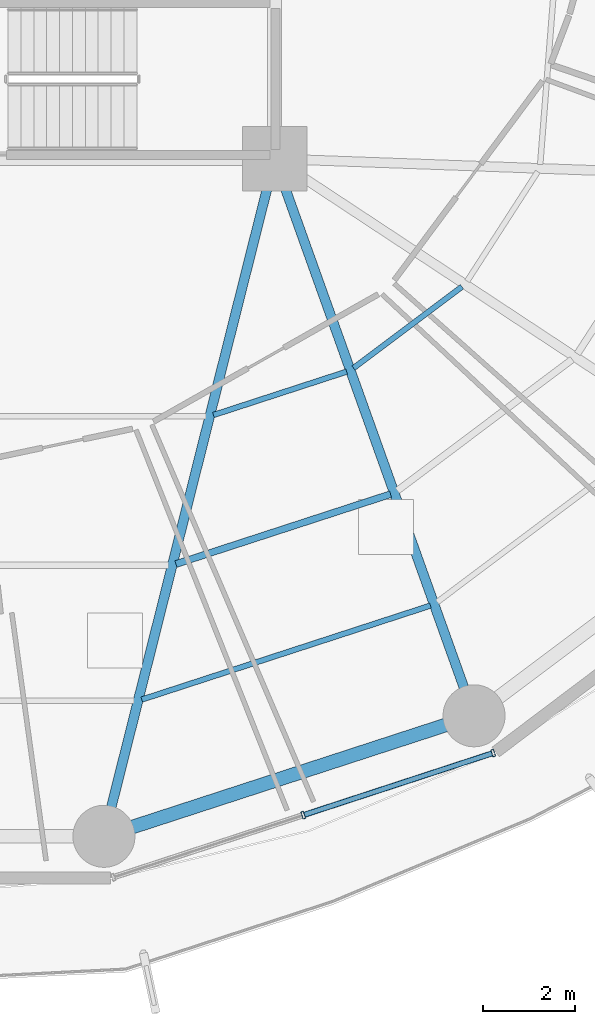
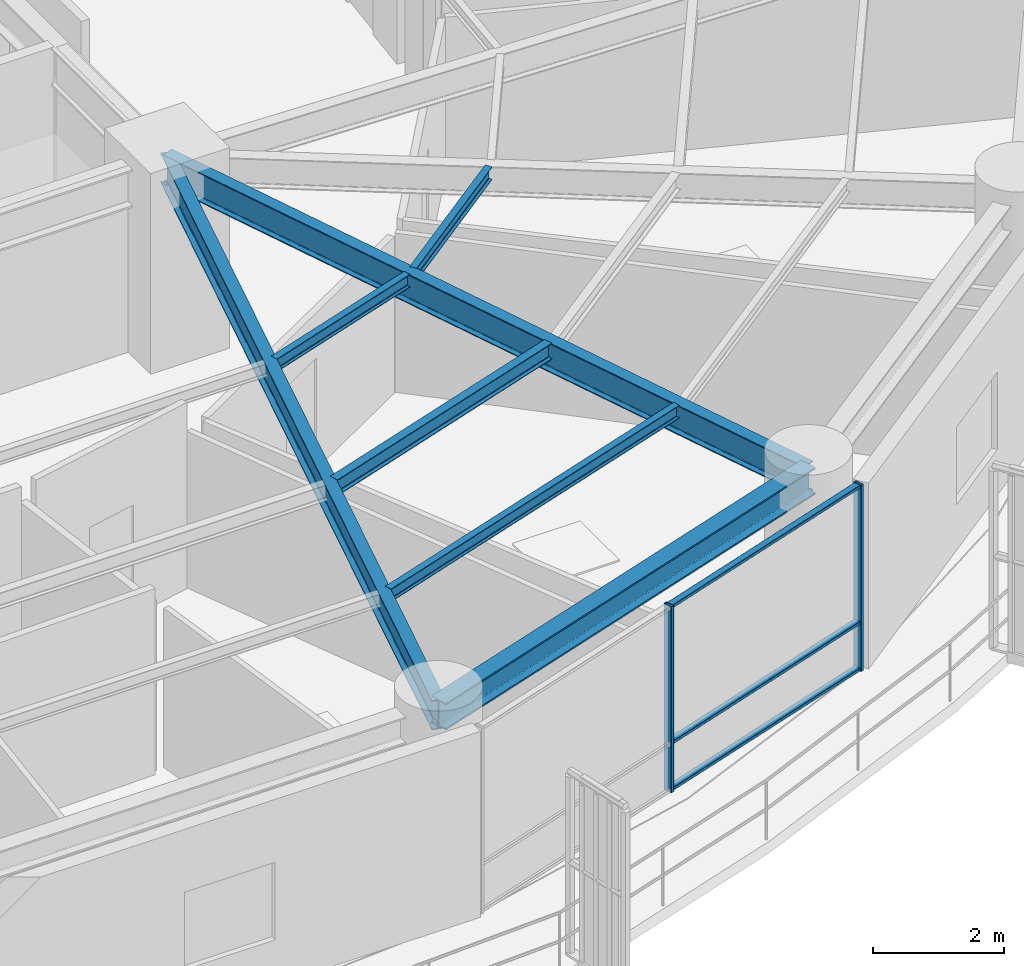
# One storey, part 10 of 35: 7 beams, 5 members, 1 element without a shape of its own.
"""IFC4 building model written with IfcOpenShell, lengths in metres."""

import ifcopenshell
import ifcopenshell.guid

model = None  # the IFC model being written
_history = None  # IfcOwnerHistory: only IFC2X3 demands one
_inside = {}  # id of a spatial element -> (the spatial element, [elements in it])
_under = {}  # id of a project, library or spatial element -> (it, [spatial elements below it])
_declared = {}  # id of a project -> (the project, [libraries it declares])
_typed = {}  # id of a type object -> (the type object, [elements of that type])
_made_of = {}  # id of a material, layer set ... -> (it, [elements and type objects made of it])


def new_model(schema):
    """Start an empty IFC model of exactly this schema.

    Asked for "IFC4X3", IfcOpenShell would pick the latest addendum, in which some entities
    have other attributes; the version numbers below select the first issue.
    IFC2X3 requires an IfcOwnerHistory on every rooted entity: one is made here for all.
    """
    global model, _history
    if schema == "IFC4X3":
        model = ifcopenshell.file(schema_version=(4, 3, 0, 0))
    else:
        model = ifcopenshell.file(schema=schema)
    _inside.clear()
    _under.clear()
    _declared.clear()
    _typed.clear()
    _made_of.clear()
    _history = None
    if model.schema == "IFC2X3":
        org = make("IfcOrganization", Name="unknown")
        user = make(
            "IfcPersonAndOrganization",
            ThePerson=make("IfcPerson", FamilyName="unknown"),
            TheOrganization=org,
        )
        app = make(
            "IfcApplication",
            ApplicationDeveloper=org,
            Version="unknown",
            ApplicationFullName="unknown",
            ApplicationIdentifier="unknown",
        )
        _history = make(
            "IfcOwnerHistory",
            OwningUser=user,
            OwningApplication=app,
            ChangeAction="ADDED",
            CreationDate=0,
        )
    return model


def make(cls, **values):
    """One entity of the class cls with the attributes given. An attribute that is None is left unset."""
    return model.create_entity(
        cls, **{name: value for name, value in values.items() if value is not None}
    )


def rooted(cls, **values):
    """An entity with a GlobalId (a new one), such as an element, a storey or a relation."""
    return make(cls, GlobalId=ifcopenshell.guid.new(), OwnerHistory=_history, **values)


def si_unit(unit_type, name, prefix=None):
    """IfcSIUnit, for example si_unit("LENGTHUNIT", "METRE", prefix="MILLI")."""
    return make("IfcSIUnit", UnitType=unit_type, Prefix=prefix, Name=name)


def assignment(units):
    """IfcUnitAssignment: the units of a project."""
    return None if units is None else make("IfcUnitAssignment", Units=units)


def point(xyz):
    """IfcCartesianPoint."""
    return None if xyz is None else make("IfcCartesianPoint", Coordinates=xyz)


def direction(xyz):
    """IfcDirection."""
    return None if xyz is None else make("IfcDirection", DirectionRatios=xyz)


def frame(location, z_axis=None, x_axis=None):
    """IfcAxis2Placement3D, a coordinate frame: its origin and axes. An axis left out is left unset."""
    return make(
        "IfcAxis2Placement3D",
        Location=point(location),
        Axis=direction(z_axis),
        RefDirection=direction(x_axis),
    )


def frame_2d(location, x_axis=None):
    """IfcAxis2Placement2D, a coordinate frame in the plane: its origin and x axis."""
    return make(
        "IfcAxis2Placement2D", Location=point(location), RefDirection=direction(x_axis)
    )


def origin():
    """The frame at (0, 0, 0) with its axes left unset."""
    return frame((0.0, 0.0, 0.0))


def origin_2d():
    """The frame at (0, 0) in the plane with its x axis left unset."""
    return frame_2d((0.0, 0.0))


def place(relative_to, where):
    """IfcLocalPlacement: puts the frame where relative to a parent placement (None: the world)."""
    return make(
        "IfcLocalPlacement", PlacementRelTo=relative_to, RelativePlacement=where
    )


def context(
    kind, dimensions, precision=None, world=None, true_north=None, identifier=None
):
    """IfcGeometricRepresentationContext, for example the 3D "Model" context."""
    return make(
        "IfcGeometricRepresentationContext",
        ContextIdentifier=identifier,
        ContextType=kind,
        CoordinateSpaceDimension=dimensions,
        Precision=precision,
        WorldCoordinateSystem=world,
        TrueNorth=true_north,
    )


def subcontext(parent, identifier, kind, view, scale=None):
    """IfcGeometricRepresentationSubContext, for example "Body" below "Model"."""
    return make(
        "IfcGeometricRepresentationSubContext",
        ContextIdentifier=identifier,
        ContextType=kind,
        ParentContext=parent,
        TargetScale=scale,
        TargetView=view,
    )


def project(units=None, contexts=None):
    """IfcProject with its units and contexts."""
    return rooted(
        "IfcProject",
        Name="project",
        RepresentationContexts=contexts,
        UnitsInContext=assignment(units),
    )


def spatial(cls, under=None, at=None, **own):
    """A site, building, storey or space (cls), placed at a placement, below another one or the project."""
    s = rooted(cls, ObjectPlacement=at, **own)
    if under is not None:
        _under.setdefault(under.id(), (under, []))[1].append(s)
    return s


def profile(cls, at=None, kind="AREA", **sizes):
    """A parametric profile (cls). Its sizes go by their IFC names, for example OverallWidth=200.0."""
    return make(cls, ProfileType=kind, Position=at, **sizes)


def hollow_rectangle(**sizes):
    """IfcRectangleHollowProfileDef."""
    return profile("IfcRectangleHollowProfileDef", **sizes)


def i_section(**sizes):
    """IfcIShapeProfileDef."""
    return profile("IfcIShapeProfileDef", **sizes)


def extrude(swept, where, along, depth):
    """IfcExtrudedAreaSolid: the profile swept, set in the frame where, extruded along a direction by depth."""
    return make(
        "IfcExtrudedAreaSolid",
        SweptArea=swept,
        Position=where,
        ExtrudedDirection=direction(along),
        Depth=depth,
    )


def shape(context_of_items, identifier, shape_type, items):
    """IfcShapeRepresentation: the items that make up one representation, for example the "Body"."""
    return make(
        "IfcShapeRepresentation",
        ContextOfItems=context_of_items,
        RepresentationIdentifier=identifier,
        RepresentationType=shape_type,
        Items=items,
    )


def material(Name=None, Category=None):
    """IfcMaterial."""
    return make("IfcMaterial", Name=Name, Category=Category)


def layer(
    of_material, thickness, ventilated=None, Name=None, Category=None, Priority=None
):
    """IfcMaterialLayer: one layer of a wall or slab, of a material (None: an air gap)."""
    return make(
        "IfcMaterialLayer",
        Material=of_material,
        LayerThickness=thickness,
        IsVentilated=ventilated,
        Name=Name,
        Category=Category,
        Priority=Priority,
    )


def layer_set(layers, Name=None):
    """IfcMaterialLayerSet."""
    return make("IfcMaterialLayerSet", MaterialLayers=layers, LayerSetName=Name)


def material_profile(
    of_material, cross_section, Name=None, Category=None, Priority=None
):
    """IfcMaterialProfile: a cross section and its material."""
    return make(
        "IfcMaterialProfile",
        Name=Name,
        Material=of_material,
        Profile=cross_section,
        Priority=Priority,
        Category=Category,
    )


def profile_set(profiles, Name=None, composite=None):
    """IfcMaterialProfileSet."""
    return make(
        "IfcMaterialProfileSet",
        Name=Name,
        MaterialProfiles=profiles,
        CompositeProfile=composite,
    )


def made_of(thing, what):
    """Note that an element or type object is made of a material, layer set ...; save() writes the relation."""
    if what is not None:
        _made_of.setdefault(what.id(), (what, []))[1].append(thing)
    return thing


def type_object(cls, material=None, **own):
    """A type object (cls), such as IfcWallType, which elements share."""
    return made_of(rooted(cls, **own), material)


def element(
    cls,
    number,
    at=None,
    inside=None,
    cuts=None,
    type_object=None,
    material=None,
    context=None,
    identifier="Body",
    shape_type=None,
    held_by="IfcProductDefinitionShape",
    body=None,
    shapes=None,
    **own,
):
    """One element of the class cls, such as IfcWall. Its Tag is "e" and its number.

    at: its placement. inside: the storey or other place that contains it. cuts: it is an
    opening in that element (IfcRelVoidsElement). A single representation is given by context,
    identifier, shape_type and body (its items); several are given by shapes. held_by: the class
    of the entity that holds the representations. save() writes the other relations.
    """
    e = rooted(cls, Tag="e%d" % number, ObjectPlacement=at, **own)
    if body is not None:
        shapes = [shape(context, identifier, shape_type, body)]
    if shapes is not None:
        e.Representation = make(held_by, Representations=shapes)
    if inside is not None:
        _inside.setdefault(inside.id(), (inside, []))[1].append(e)
    if cuts is not None:
        rooted(
            "IfcRelVoidsElement", RelatingBuildingElement=cuts, RelatedOpeningElement=e
        )
    if type_object is not None:
        _typed.setdefault(type_object.id(), (type_object, []))[1].append(e)
    return made_of(e, material)


def aggregate(whole, parts):
    """IfcRelAggregates: a whole, such as a stair, and the parts it consists of."""
    return rooted("IfcRelAggregates", RelatingObject=whole, RelatedObjects=parts)


def save(model, path):
    """Write the relations noted so far, then the file.

    IfcRelAggregates (storeys below a building ...), IfcRelContainedInSpatialStructure (elements
    in a storey), IfcRelDefinesByType, IfcRelAssociatesMaterial and IfcRelDeclares: one each for
    every whole, place, type object, material and project.
    """
    for whole, parts in _under.values():
        aggregate(whole, parts)
    for where, things in _inside.values():
        rooted(
            "IfcRelContainedInSpatialStructure",
            RelatedElements=things,
            RelatingStructure=where,
        )
    for kind, things in _typed.values():
        rooted("IfcRelDefinesByType", RelatedObjects=things, RelatingType=kind)
    for what, things in _made_of.values():
        rooted("IfcRelAssociatesMaterial", RelatedObjects=things, RelatingMaterial=what)
    for by, libraries in _declared.values():
        rooted("IfcRelDeclares", RelatingContext=by, RelatedDefinitions=libraries)
    model.write(path)


model = new_model("IFC4")

# Units and contexts
model_context = context("Model", 3, precision=1e-05, world=origin(), true_north=direction((0.0, 1.0)))
body_context = subcontext(model_context, "Body", "Model", "MODEL_VIEW")
ifc_project = project(units=[si_unit("LENGTHUNIT", "METRE"), si_unit("AREAUNIT", "SQUARE_METRE"), si_unit("VOLUMEUNIT", "CUBIC_METRE"), si_unit("PLANEANGLEUNIT", "RADIAN"), si_unit("MASSUNIT", "GRAM", prefix="KILO")], contexts=[model_context])

# Site, building, storey
site_placement = place(None, origin())
site = spatial("IfcSite", under=ifc_project, at=site_placement, CompositionType="ELEMENT")
building_placement = place(site_placement, origin())
building = spatial("IfcBuilding", under=site, at=building_placement, Name="Kelanora Arch Commons", CompositionType="ELEMENT")
storey_placement = place(building_placement, frame((0.0, 0.0, 87.60009765625)))
storey = spatial("IfcBuildingStorey", under=building, at=storey_placement, Name="L22", CompositionType="ELEMENT", Elevation=87.60009765625)

# Beams
ifc_material_1 = material(Name="Steel S355", Category="steel")
ifc_material_profile_1 = material_profile(ifc_material_1, i_section(OverallWidth=0.14990234375, OverallDepth=0.300048828125, WebThickness=0.007080078125, FlangeThickness=0.0107421875, FilletRadius=0.014892578125, at=origin_2d()), Name="IPE300")
ifc_profile_set_1 = profile_set([ifc_material_profile_1], Name="Steel S355")
beam_type_1 = type_object("IfcBeamType", Name="BM-JST-01", PredefinedType="JOIST", material=ifc_profile_set_1)
beam_1_placement = place(storey_placement, frame((79.852294921875, 42.1796875, 3.33984375), z_axis=(0.950857140254, 0.309629938521, 0.0), x_axis=(-0.309629938521, 0.950857140254, 0.0)))
element("IfcBeam", 1, at=beam_1_placement, inside=storey, type_object=beam_type_1, Name="Secondary Chord Joist BJB-28 L22", PredefinedType="JOIST", context=body_context, shape_type="SweptSolid", body=[
    extrude(i_section(OverallWidth=0.14990234375, OverallDepth=0.300048828125, WebThickness=0.007080078125, FlangeThickness=0.0107421875, FilletRadius=0.014892578125, at=origin_2d()), origin(), (0.0, 0.0, 1.0), 4.912353515625),
])
ifc_material_profile_2 = material_profile(ifc_material_1, i_section(OverallWidth=0.1201171875, OverallDepth=0.239990234375, WebThickness=0.006103515625, FlangeThickness=0.009765625, FilletRadius=0.014892578125, at=origin_2d()), Name="IPE240")
ifc_profile_set_2 = profile_set([ifc_material_profile_2], Name="Steel S355")
beam_type_2 = type_object("IfcBeamType", Name="BM-JST-02", PredefinedType="JOIST", material=ifc_profile_set_2)
beam_2_placement = place(storey_placement, frame((80.66943359375, 45.42333984375, 3.369873046875), z_axis=(0.950846758946, 0.309661817151, 0.0), x_axis=(-0.309661817151, 0.950846758946, 0.0)))
element("IfcBeam", 2, at=beam_2_placement, inside=storey, type_object=beam_type_2, Name="Secondary Chord Joist BJA-28 L22", PredefinedType="JOIST", context=body_context, shape_type="SweptSolid", body=[
    extrude(i_section(OverallWidth=0.1201171875, OverallDepth=0.239990234375, WebThickness=0.006103515625, FlangeThickness=0.009765625, FilletRadius=0.014892578125, at=origin_2d()), origin(), (0.0, 0.0, 1.0), 3.048828125),
])
beam_3_placement = place(storey_placement, frame((79.109375, 39.230712890625, 3.369873046875), z_axis=(0.950862829272, 0.309612467301, 0.0), x_axis=(-0.309612467301, 0.950862829272, 0.0)))
element("IfcBeam", 3, at=beam_3_placement, inside=storey, type_object=beam_type_2, Name="Secondary Chord Joist BJC-28 L22", PredefinedType="JOIST", context=body_context, shape_type="SweptSolid", body=[
    extrude(i_section(OverallWidth=0.1201171875, OverallDepth=0.239990234375, WebThickness=0.006103515625, FlangeThickness=0.009765625, FilletRadius=0.014892578125, at=origin_2d()), origin(), (0.0, 0.0, 1.0), 6.6064453125),
])
beam_4_placement = place(storey_placement, frame((83.71728515625, 46.444580078125, 3.369873046875), z_axis=(0.799692034361, 0.600410401458, 0.0), x_axis=(-0.600410401458, 0.799692034361, 0.0)))
element("IfcBeam", 4, at=beam_4_placement, inside=storey, type_object=beam_type_2, Name="Secondary Chord Joist BJA-30 L22", PredefinedType="JOIST", context=body_context, shape_type="SweptSolid", body=[
    extrude(i_section(OverallWidth=0.1201171875, OverallDepth=0.239990234375, WebThickness=0.006103515625, FlangeThickness=0.009765625, FilletRadius=0.014892578125, at=origin_2d()), origin(), (0.0, 0.0, 1.0), 2.949951171875),
])
ifc_material_profile_3 = material_profile(ifc_material_1, i_section(OverallWidth=0.2099609375, OverallDepth=0.550048828125, WebThickness=0.010986328125, FlangeThickness=0.01708984375, FilletRadius=0.02392578125, at=origin_2d()), Name="IPE550")
ifc_profile_set_3 = profile_set([ifc_material_profile_3], Name="Steel S355")
beam_type_3 = type_object("IfcBeamType", Name="BM-RAD-Z2", PredefinedType="BEAM", material=ifc_profile_set_3)
beam_5_placement = place(storey_placement, frame((82.0, 51.0, 3.21484375), z_axis=(-0.244280647475, -0.969704576286, 0.0), x_axis=(0.969704576286, -0.244280647475, 0.0)))
element("IfcBeam", 5, at=beam_5_placement, inside=storey, type_object=beam_type_3, Name="Radial Floor Girder BR-28 L22", PredefinedType="BEAM", context=body_context, shape_type="SweptSolid", body=[
    extrude(i_section(OverallWidth=0.2099609375, OverallDepth=0.550048828125, WebThickness=0.010986328125, FlangeThickness=0.01708984375, FilletRadius=0.02392578125, at=origin_2d()), origin(), (0.0, 0.0, 1.0), 15.205322265625),
])
beam_6_placement = place(storey_placement, frame((82.0, 51.0, 3.21484375), z_axis=(0.337084640008, -0.941474346687, 0.0), x_axis=(0.941474346687, 0.337084640008, 0.0)))
element("IfcBeam", 6, at=beam_6_placement, inside=storey, type_object=beam_type_3, Name="Radial Floor Girder BR-30 L22", PredefinedType="BEAM", context=body_context, shape_type="SweptSolid", body=[
    extrude(i_section(OverallWidth=0.2099609375, OverallDepth=0.550048828125, WebThickness=0.010986328125, FlangeThickness=0.01708984375, FilletRadius=0.02392578125, at=origin_2d()), origin(), (0.0, 0.0, 1.0), 12.875244140625),
])
ifc_material_profile_4 = material_profile(ifc_material_1, i_section(OverallWidth=0.300048828125, OverallDepth=0.5, WebThickness=0.014404296875, FlangeThickness=0.028076171875, FilletRadius=0.027099609375, at=origin_2d()), Name="HEB500")
ifc_profile_set_4 = profile_set([ifc_material_profile_4], Name="Steel S355")
beam_type_4 = type_object("IfcBeamType", Name="BM-SPN-Z2", PredefinedType="SPANDREL", material=ifc_profile_set_4)
beam_7_placement = place(storey_placement, frame((78.28564453125, 36.25537109375, 3.239990234375), z_axis=(0.950856631974, 0.309631499418, 0.0), x_axis=(-0.309631499418, 0.950856631974, 0.0)))
element("IfcBeam", 7, at=beam_7_placement, inside=storey, type_object=beam_type_4, Name="Perimeter Spandrel Beam BS-28 L22", PredefinedType="SPANDREL", context=body_context, shape_type="SweptSolid", body=[
    extrude(i_section(OverallWidth=0.300048828125, OverallDepth=0.5, WebThickness=0.014404296875, FlangeThickness=0.028076171875, FilletRadius=0.027099609375, at=origin_2d()), origin(), (0.0, 0.0, 1.0), 8.470703125),
])

# Curtain wall, members
ifc_material_2 = material(Name="Terracotta ceramic-fritted low-E glass and aluminium", Category="masonry")
ifc_layer = layer(ifc_material_2, 0.159912109375)
ifc_layer_set = layer_set([ifc_layer], Name="Terracotta ceramic-fritted low-E glass and aluminium")
curtain_wall_type = type_object("IfcCurtainWallType", Name="CW-SYS-01", PredefinedType="NOTDEFINED", material=ifc_layer_set)
curtain_wall_placement = place(storey_placement, origin())
curtain_wall = element("IfcCurtainWall", 8, at=curtain_wall_placement, inside=storey, type_object=curtain_wall_type, Name="Unitised Curtain Wall L22-B14", PredefinedType="NOTDEFINED")
ifc_material_3 = material(Name="Powder-coated aluminium terracotta", Category="masonry")
ifc_material_profile_5 = material_profile(ifc_material_3, hollow_rectangle(XDim=0.159912109375, YDim=0.06005859375, WallThickness=0.0048828125, InnerFilletRadius=0.0048828125, OuterFilletRadius=0.010009765625, at=origin_2d()), Name="CWM160x60")
ifc_profile_set_5 = profile_set([ifc_material_profile_5], Name="Powder-coated aluminium terracotta")
member_type_1 = type_object("IfcMemberType", Name="CWM-STD", PredefinedType="MULLION", material=ifc_profile_set_5)
member_1_placement = place(storey_placement, frame((82.622802734375, 36.71533203125, 0.0), z_axis=(0.0, 0.0, 1.0), x_axis=(-0.31080470294, 0.950473795867, 0.0)))
member_1 = element("IfcMember", 9, at=member_1_placement, type_object=member_type_1, Name="CW-01 mullion 2", PredefinedType="MULLION", context=body_context, shape_type="SweptSolid", body=[
    extrude(hollow_rectangle(XDim=0.159912109375, YDim=0.06005859375, WallThickness=0.0048828125, InnerFilletRadius=0.0048828125, OuterFilletRadius=0.010009765625, at=origin_2d()), origin(), (0.0, 0.0, 1.0), 3.474853515625),
])
member_2_placement = place(storey_placement, frame((86.757080078125, 38.0673828125, 0.0), z_axis=(0.0, 0.0, 1.0), x_axis=(-0.31080470294, 0.950473795867, 0.0)))
member_2 = element("IfcMember", 10, at=member_2_placement, type_object=member_type_1, Name="CW-01 mullion 3", PredefinedType="MULLION", context=body_context, shape_type="SweptSolid", body=[
    extrude(hollow_rectangle(XDim=0.159912109375, YDim=0.06005859375, WallThickness=0.0048828125, InnerFilletRadius=0.0048828125, OuterFilletRadius=0.010009765625, at=origin_2d()), origin(), (0.0, 0.0, 1.0), 3.474853515625),
])
ifc_material_profile_6 = material_profile(ifc_material_3, hollow_rectangle(XDim=0.1201171875, YDim=0.06005859375, WallThickness=0.0048828125, InnerFilletRadius=0.0048828125, OuterFilletRadius=0.010009765625, at=origin_2d()), Name="CWT120x60")
ifc_profile_set_6 = profile_set([ifc_material_profile_6], Name="Powder-coated aluminium terracotta")
member_type_2 = type_object("IfcMemberType", Name="CWT-STD", PredefinedType="USERDEFINED", material=ifc_profile_set_6)
member_3_placement = place(storey_placement, frame((82.651123046875, 36.724609375, 0.02978515625), z_axis=(0.950466230394, 0.310827838008, 0.0), x_axis=(-0.310827838008, 0.950466230394, 0.0)))
member_3 = element("IfcMember", 11, at=member_3_placement, type_object=member_type_2, Name="CW-01 transom 2.1", ObjectType="TRANSOM", PredefinedType="USERDEFINED", context=body_context, shape_type="SweptSolid", body=[
    extrude(hollow_rectangle(XDim=0.1201171875, YDim=0.06005859375, WallThickness=0.0048828125, InnerFilletRadius=0.0048828125, OuterFilletRadius=0.010009765625, at=origin_2d()), origin(), (0.0, 0.0, 1.0), 4.2900390625),
])
member_4_placement = place(storey_placement, frame((82.651123046875, 36.724609375, 0.89990234375), z_axis=(0.950466230394, 0.310827838008, 0.0), x_axis=(-0.310827838008, 0.950466230394, 0.0)))
member_4 = element("IfcMember", 12, at=member_4_placement, type_object=member_type_2, Name="CW-01 transom 2.2", ObjectType="TRANSOM", PredefinedType="USERDEFINED", context=body_context, shape_type="SweptSolid", body=[
    extrude(hollow_rectangle(XDim=0.1201171875, YDim=0.06005859375, WallThickness=0.0048828125, InnerFilletRadius=0.0048828125, OuterFilletRadius=0.010009765625, at=origin_2d()), origin(), (0.0, 0.0, 1.0), 4.2900390625),
])
member_5_placement = place(storey_placement, frame((82.651123046875, 36.724609375, 3.44482421875), z_axis=(0.950466230394, 0.310827838008, 0.0), x_axis=(-0.310827838008, 0.950466230394, 0.0)))
member_5 = element("IfcMember", 13, at=member_5_placement, type_object=member_type_2, Name="CW-01 transom 2.3", ObjectType="TRANSOM", PredefinedType="USERDEFINED", context=body_context, shape_type="SweptSolid", body=[
    extrude(hollow_rectangle(XDim=0.1201171875, YDim=0.06005859375, WallThickness=0.0048828125, InnerFilletRadius=0.0048828125, OuterFilletRadius=0.010009765625, at=origin_2d()), origin(), (0.0, 0.0, 1.0), 4.2900390625),
])
aggregate(curtain_wall, [member_1, member_2, member_3, member_4, member_5])

save(model, "model.ifc")
